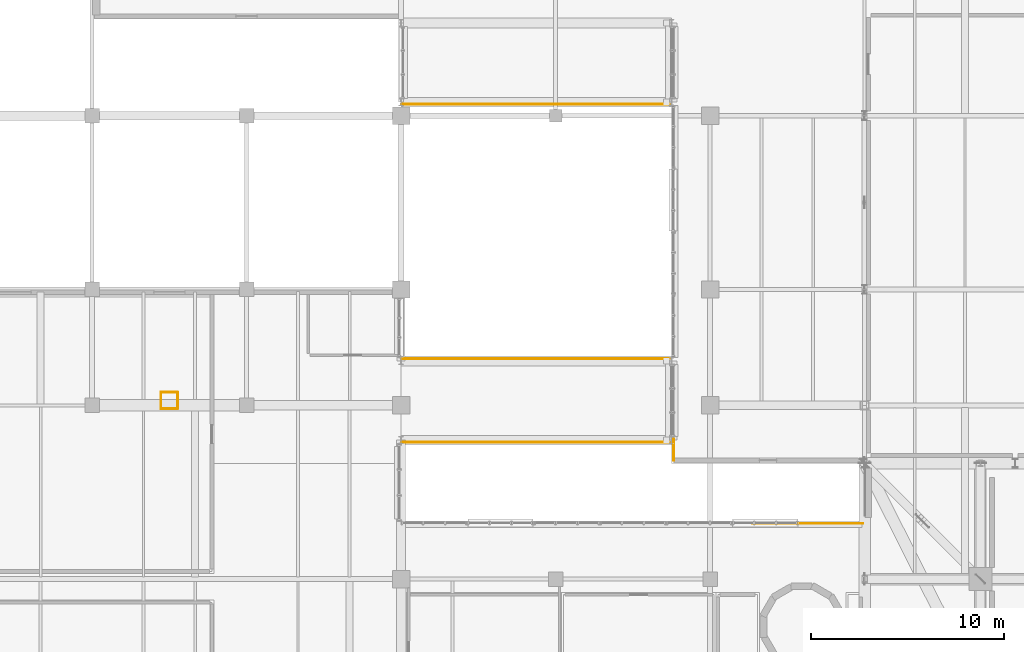
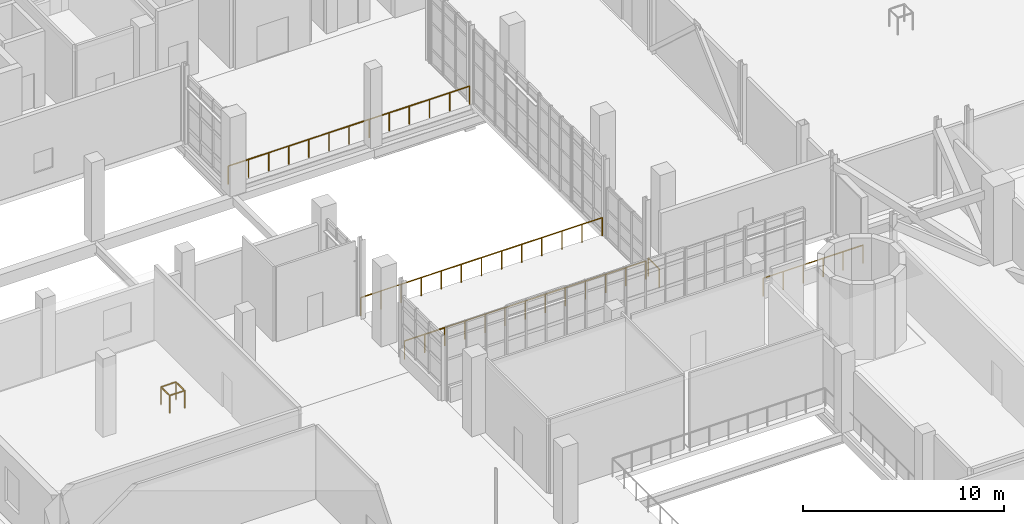
# One storey, part 123 of 127: 9 railings.
"""IFC4 building model written with IfcOpenShell, lengths in metres."""

from ifc_helpers import new_model, si_unit, derived_unit, direction, frame, origin, origin_2d, place, context, subcontext, project, spatial, circle, extrude, material, type_object, element, save


model = new_model("IFC4")

# Units and contexts
model_context = context("Model", 3, precision=1e-05, world=origin(), true_north=direction((0.0, 1.0)))
body_context = subcontext(model_context, "Body", "Model", "MODEL_VIEW")
ifc_project = project(units=[si_unit("LENGTHUNIT", "METRE"), si_unit("AREAUNIT", "SQUARE_METRE"), si_unit("VOLUMEUNIT", "CUBIC_METRE"), si_unit("PLANEANGLEUNIT", "RADIAN"), si_unit("MASSUNIT", "GRAM", prefix="KILO"), derived_unit("THERMALTRANSMITTANCEUNIT", [(si_unit("POWERUNIT", "WATT"), 1), (si_unit("LENGTHUNIT", "METRE"), -2), (si_unit("THERMODYNAMICTEMPERATUREUNIT", "KELVIN"), -1)])], contexts=[model_context])

# Site, building, storey
site_placement = place(None, origin())
site = spatial("IfcSite", under=ifc_project, at=site_placement, CompositionType="ELEMENT")
building_placement = place(site_placement, origin())
building = spatial("IfcBuilding", under=site, at=building_placement, Name="Nallur Shell Playhouse", CompositionType="ELEMENT")
storey_placement = place(building_placement, frame((0.0, 0.0, 5.39990234375)))
storey = spatial("IfcBuildingStorey", under=building, at=storey_placement, Name="L02", CompositionType="ELEMENT", Elevation=5.39990234375)

# Railings
ifc_material = material(Name="Brushed Stainless Steel 316 Balustrade & Toughened Infill", Category="steel")
railing_type = type_object("IfcRailingType", Name="RL-GUARD-1100", PredefinedType="BALUSTRADE", material=ifc_material)
railing_1_placement = place(storey_placement, frame((53.885009765625, 65.580078125, 0.0)))
element("IfcRailing", 1, at=railing_1_placement, inside=storey, type_object=railing_type, Name="L02 courtyard bridge balustrade 08", PredefinedType="BALUSTRADE", context=body_context, shape_type="SweptSolid", body=[
    extrude(circle(Radius=0.02392578125, at=origin_2d()), frame((0.0, 0.0, 1.09619140625), z_axis=(-1.0, 0.0, 0.0), x_axis=(0.0, -1.0, 0.0)), (0.0, 0.0, 1.0), 13.844970703125),
    extrude(circle(Radius=0.02099609375, at=origin_2d()), origin(), (0.0, 0.0, 1.0), 1.072021484375),
    extrude(circle(Radius=0.02099609375, at=origin_2d()), frame((-1.15380859375, 0.0, 0.0)), (0.0, 0.0, 1.0), 1.072021484375),
    extrude(circle(Radius=0.02099609375, at=origin_2d()), frame((-2.3076171875, 0.0, 0.0)), (0.0, 0.0, 1.0), 1.072021484375),
    extrude(circle(Radius=0.02099609375, at=origin_2d()), frame((-3.461181640625, 0.0, 0.0)), (0.0, 0.0, 1.0), 1.072021484375),
    extrude(circle(Radius=0.02099609375, at=origin_2d()), frame((-4.614990234375, 0.0, 0.0)), (0.0, 0.0, 1.0), 1.072021484375),
    extrude(circle(Radius=0.02099609375, at=origin_2d()), frame((-5.768798828125, 0.0, 0.0)), (0.0, 0.0, 1.0), 1.072021484375),
    extrude(circle(Radius=0.02099609375, at=origin_2d()), frame((-6.92236328125, 0.0, 0.0)), (0.0, 0.0, 1.0), 1.072021484375),
    extrude(circle(Radius=0.02099609375, at=origin_2d()), frame((-8.076171875, 0.0, 0.0)), (0.0, 0.0, 1.0), 1.072021484375),
    extrude(circle(Radius=0.02099609375, at=origin_2d()), frame((-9.22998046875, 0.0, 0.0)), (0.0, 0.0, 1.0), 1.072021484375),
    extrude(circle(Radius=0.02099609375, at=origin_2d()), frame((-10.3837890625, 0.0, 0.0)), (0.0, 0.0, 1.0), 1.072021484375),
    extrude(circle(Radius=0.02099609375, at=origin_2d()), frame((-11.53759765625, 0.0, 0.0)), (0.0, 0.0, 1.0), 1.072021484375),
    extrude(circle(Radius=0.02099609375, at=origin_2d()), frame((-12.691162109375, 0.0, 0.0)), (0.0, 0.0, 1.0), 1.072021484375),
    extrude(circle(Radius=0.02099609375, at=origin_2d()), frame((-13.844970703125, 0.0, 0.0)), (0.0, 0.0, 1.0), 1.072021484375),
])
railing_2_placement = place(storey_placement, frame((40.0400390625, 52.419921875, 0.0)))
element("IfcRailing", 2, at=railing_2_placement, inside=storey, type_object=railing_type, Name="L02 courtyard bridge balustrade 25", PredefinedType="BALUSTRADE", context=body_context, shape_type="SweptSolid", body=[
    extrude(circle(Radius=0.02392578125, at=origin_2d()), frame((0.0, 0.0, 1.09619140625), z_axis=(1.0, 0.0, 0.0), x_axis=(0.0, 1.0, 0.0)), (0.0, 0.0, 1.0), 13.844970703125),
    extrude(circle(Radius=0.02099609375, at=origin_2d()), origin(), (0.0, 0.0, 1.0), 1.072021484375),
    extrude(circle(Radius=0.02099609375, at=origin_2d()), frame((1.15380859375, 0.0, 0.0)), (0.0, 0.0, 1.0), 1.072021484375),
    extrude(circle(Radius=0.02099609375, at=origin_2d()), frame((2.3076171875, 0.0, 0.0)), (0.0, 0.0, 1.0), 1.072021484375),
    extrude(circle(Radius=0.02099609375, at=origin_2d()), frame((3.461181640625, 0.0, 0.0)), (0.0, 0.0, 1.0), 1.072021484375),
    extrude(circle(Radius=0.02099609375, at=origin_2d()), frame((4.614990234375, 0.0, 0.0)), (0.0, 0.0, 1.0), 1.072021484375),
    extrude(circle(Radius=0.02099609375, at=origin_2d()), frame((5.768798828125, 0.0, 0.0)), (0.0, 0.0, 1.0), 1.072021484375),
    extrude(circle(Radius=0.02099609375, at=origin_2d()), frame((6.92236328125, 0.0, 0.0)), (0.0, 0.0, 1.0), 1.072021484375),
    extrude(circle(Radius=0.02099609375, at=origin_2d()), frame((8.076171875, 0.0, 0.0)), (0.0, 0.0, 1.0), 1.072021484375),
    extrude(circle(Radius=0.02099609375, at=origin_2d()), frame((9.22998046875, 0.0, 0.0)), (0.0, 0.0, 1.0), 1.072021484375),
    extrude(circle(Radius=0.02099609375, at=origin_2d()), frame((10.3837890625, 0.0, 0.0)), (0.0, 0.0, 1.0), 1.072021484375),
    extrude(circle(Radius=0.02099609375, at=origin_2d()), frame((11.53759765625, 0.0, 0.0)), (0.0, 0.0, 1.0), 1.072021484375),
    extrude(circle(Radius=0.02099609375, at=origin_2d()), frame((12.691162109375, 0.0, 0.0)), (0.0, 0.0, 1.0), 1.072021484375),
    extrude(circle(Radius=0.02099609375, at=origin_2d()), frame((13.844970703125, 0.0, 0.0)), (0.0, 0.0, 1.0), 1.072021484375),
])
railing_3_placement = place(storey_placement, frame((53.885009765625, 48.080078125, 0.0)))
element("IfcRailing", 3, at=railing_3_placement, inside=storey, type_object=railing_type, Name="L02 courtyard bridge balustrade 26", PredefinedType="BALUSTRADE", context=body_context, shape_type="SweptSolid", body=[
    extrude(circle(Radius=0.02392578125, at=origin_2d()), frame((0.0, 0.0, 1.09619140625), z_axis=(-1.0, 0.0, 0.0), x_axis=(0.0, -1.0, 0.0)), (0.0, 0.0, 1.0), 13.844970703125),
    extrude(circle(Radius=0.02099609375, at=origin_2d()), origin(), (0.0, 0.0, 1.0), 1.072021484375),
    extrude(circle(Radius=0.02099609375, at=origin_2d()), frame((-1.15380859375, 0.0, 0.0)), (0.0, 0.0, 1.0), 1.072021484375),
    extrude(circle(Radius=0.02099609375, at=origin_2d()), frame((-2.3076171875, 0.0, 0.0)), (0.0, 0.0, 1.0), 1.072021484375),
    extrude(circle(Radius=0.02099609375, at=origin_2d()), frame((-3.461181640625, 0.0, 0.0)), (0.0, 0.0, 1.0), 1.072021484375),
    extrude(circle(Radius=0.02099609375, at=origin_2d()), frame((-4.614990234375, 0.0, 0.0)), (0.0, 0.0, 1.0), 1.072021484375),
    extrude(circle(Radius=0.02099609375, at=origin_2d()), frame((-5.768798828125, 0.0, 0.0)), (0.0, 0.0, 1.0), 1.072021484375),
    extrude(circle(Radius=0.02099609375, at=origin_2d()), frame((-6.92236328125, 0.0, 0.0)), (0.0, 0.0, 1.0), 1.072021484375),
    extrude(circle(Radius=0.02099609375, at=origin_2d()), frame((-8.076171875, 0.0, 0.0)), (0.0, 0.0, 1.0), 1.072021484375),
    extrude(circle(Radius=0.02099609375, at=origin_2d()), frame((-9.22998046875, 0.0, 0.0)), (0.0, 0.0, 1.0), 1.072021484375),
    extrude(circle(Radius=0.02099609375, at=origin_2d()), frame((-10.3837890625, 0.0, 0.0)), (0.0, 0.0, 1.0), 1.072021484375),
    extrude(circle(Radius=0.02099609375, at=origin_2d()), frame((-11.53759765625, 0.0, 0.0)), (0.0, 0.0, 1.0), 1.072021484375),
    extrude(circle(Radius=0.02099609375, at=origin_2d()), frame((-12.691162109375, 0.0, 0.0)), (0.0, 0.0, 1.0), 1.072021484375),
    extrude(circle(Radius=0.02099609375, at=origin_2d()), frame((-13.844970703125, 0.0, 0.0)), (0.0, 0.0, 1.0), 1.072021484375),
])
railing_4_placement = place(storey_placement, frame((54.1201171875, 47.14990234375, 0.0)))
element("IfcRailing", 4, at=railing_4_placement, inside=storey, type_object=railing_type, Name="L02 bridge-junction slab edge balustrade", PredefinedType="BALUSTRADE", context=body_context, shape_type="SweptSolid", body=[
    extrude(circle(Radius=0.02392578125, at=origin_2d()), frame((0.0, 0.0, 1.09619140625), z_axis=(0.0, 1.0, 0.0), x_axis=(-1.0, 0.0, 0.0)), (0.0, 0.0, 1.0), 1.090087890625),
    extrude(circle(Radius=0.02099609375, at=origin_2d()), origin(), (0.0, 0.0, 1.0), 1.072021484375),
    extrude(circle(Radius=0.02099609375, at=origin_2d()), frame((0.0, 1.090087890625, 0.0)), (0.0, 0.0, 1.0), 1.072021484375),
])
railing_5_placement = place(storey_placement, frame((27.570068359375, 49.820068359375, 0.0)))
element("IfcRailing", 5, at=railing_5_placement, inside=storey, type_object=railing_type, Name="L02 service riser edge guard 071", PredefinedType="BALUSTRADE", context=body_context, shape_type="SweptSolid", body=[
    extrude(circle(Radius=0.02392578125, at=origin_2d()), frame((0.0, 0.0, 1.09619140625), z_axis=(1.0, 0.0, 0.0), x_axis=(0.0, 1.0, 0.0)), (0.0, 0.0, 1.0), 0.85986328125),
    extrude(circle(Radius=0.02099609375, at=origin_2d()), origin(), (0.0, 0.0, 1.0), 1.072021484375),
    extrude(circle(Radius=0.02099609375, at=origin_2d()), frame((0.85986328125, 0.0, 0.0)), (0.0, 0.0, 1.0), 1.072021484375),
])
railing_6_placement = place(storey_placement, frame((28.429931640625, 49.820068359375, 0.0)))
element("IfcRailing", 6, at=railing_6_placement, inside=storey, type_object=railing_type, Name="L02 service riser edge guard 072", PredefinedType="BALUSTRADE", context=body_context, shape_type="SweptSolid", body=[
    extrude(circle(Radius=0.02392578125, at=origin_2d()), frame((0.0, 0.0, 1.09619140625), z_axis=(0.0, 1.0, 0.0), x_axis=(-1.0, 0.0, 0.0)), (0.0, 0.0, 1.0), 0.85986328125),
    extrude(circle(Radius=0.02099609375, at=origin_2d()), origin(), (0.0, 0.0, 1.0), 1.072021484375),
    extrude(circle(Radius=0.02099609375, at=origin_2d()), frame((0.0, 0.85986328125, 0.0)), (0.0, 0.0, 1.0), 1.072021484375),
])
railing_7_placement = place(storey_placement, frame((28.429931640625, 50.679931640625, 0.0)))
element("IfcRailing", 7, at=railing_7_placement, inside=storey, type_object=railing_type, Name="L02 service riser edge guard 073", PredefinedType="BALUSTRADE", context=body_context, shape_type="SweptSolid", body=[
    extrude(circle(Radius=0.02392578125, at=origin_2d()), frame((0.0, 0.0, 1.09619140625), z_axis=(-1.0, 0.0, 0.0), x_axis=(0.0, -1.0, 0.0)), (0.0, 0.0, 1.0), 0.85986328125),
    extrude(circle(Radius=0.02099609375, at=origin_2d()), origin(), (0.0, 0.0, 1.0), 1.072021484375),
    extrude(circle(Radius=0.02099609375, at=origin_2d()), frame((-0.85986328125, 0.0, 0.0)), (0.0, 0.0, 1.0), 1.072021484375),
])
railing_8_placement = place(storey_placement, frame((27.570068359375, 50.679931640625, 0.0)))
element("IfcRailing", 8, at=railing_8_placement, inside=storey, type_object=railing_type, Name="L02 service riser edge guard 074", PredefinedType="BALUSTRADE", context=body_context, shape_type="SweptSolid", body=[
    extrude(circle(Radius=0.02392578125, at=origin_2d()), frame((0.0, 0.0, 1.09619140625), z_axis=(0.0, -1.0, 0.0), x_axis=(1.0, 0.0, 0.0)), (0.0, 0.0, 1.0), 0.85986328125),
    extrude(circle(Radius=0.02099609375, at=origin_2d()), origin(), (0.0, 0.0, 1.0), 1.072021484375),
    extrude(circle(Radius=0.02099609375, at=origin_2d()), frame((0.0, -0.85986328125, 0.0)), (0.0, 0.0, 1.0), 1.072021484375),
])
railing_9_placement = place(storey_placement, frame((58.199951171875, 43.8798828125, 0.0)))
element("IfcRailing", 9, at=railing_9_placement, inside=storey, type_object=railing_type, Name="L02 courtyard edge balustrade at JC-7", PredefinedType="BALUSTRADE", context=body_context, shape_type="SweptSolid", body=[
    extrude(circle(Radius=0.02392578125, at=origin_2d()), frame((0.0, 0.0, 1.09619140625), z_axis=(1.0, 0.0, 0.0), x_axis=(0.0, 1.0, 0.0)), (0.0, 0.0, 1.0), 5.719970703125),
    extrude(circle(Radius=0.02099609375, at=origin_2d()), origin(), (0.0, 0.0, 1.0), 1.072021484375),
    extrude(circle(Radius=0.02099609375, at=origin_2d()), frame((1.14404296875, 0.0, 0.0)), (0.0, 0.0, 1.0), 1.072021484375),
    extrude(circle(Radius=0.02099609375, at=origin_2d()), frame((2.2880859375, 0.0, 0.0)), (0.0, 0.0, 1.0), 1.072021484375),
    extrude(circle(Radius=0.02099609375, at=origin_2d()), frame((3.431884765625, 0.0, 0.0)), (0.0, 0.0, 1.0), 1.072021484375),
    extrude(circle(Radius=0.02099609375, at=origin_2d()), frame((4.575927734375, 0.0, 0.0)), (0.0, 0.0, 1.0), 1.072021484375),
    extrude(circle(Radius=0.02099609375, at=origin_2d()), frame((5.719970703125, 0.0, 0.0)), (0.0, 0.0, 1.0), 1.072021484375),
])

save(model, "model.ifc")
